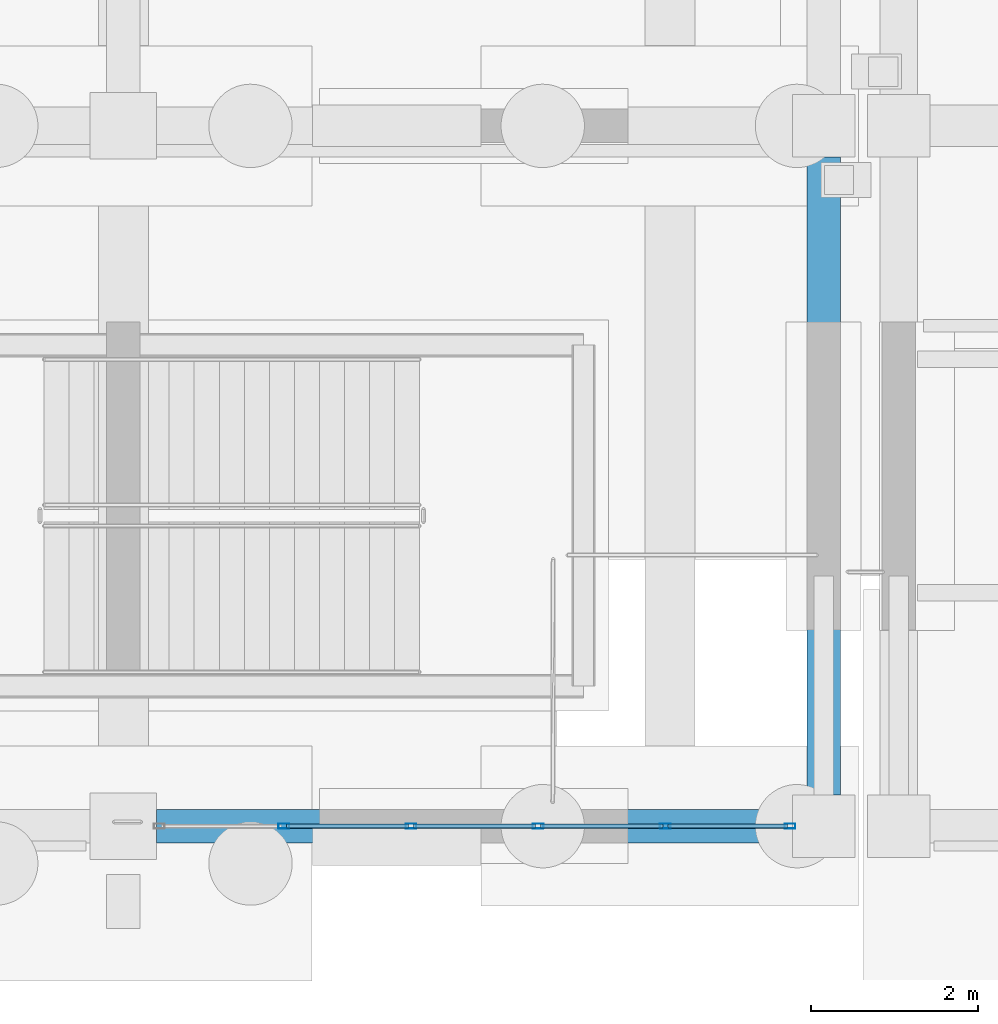
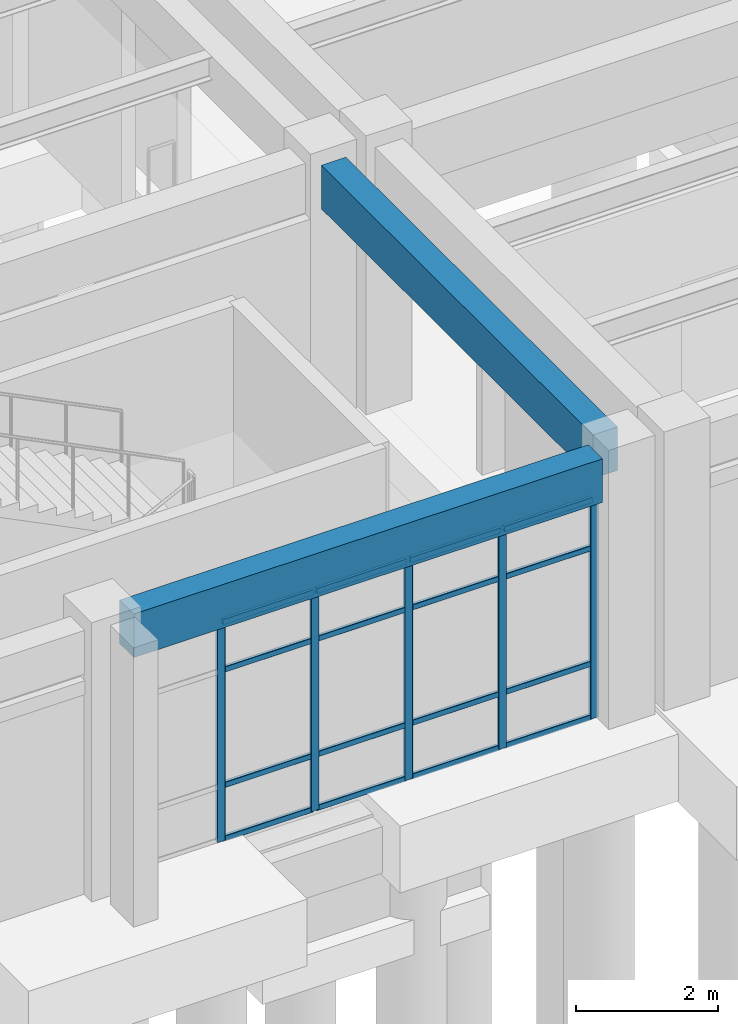
# One storey, part 32 of 111: 21 members, 2 beams, 1 element without a shape of its own.
"""IFC4 building model written with IfcOpenShell, lengths in metres."""

from ifc_helpers import new_model, si_unit, direction, frame, origin, origin_2d, place, context, subcontext, project, spatial, rectangle, hollow_rectangle, extrude, material, material_profile, profile_set, type_object, element, aggregate, save


model = new_model("IFC4")

# Units and contexts
model_context = context("Model", 3, precision=1e-05, world=origin(), true_north=direction((0.0, 1.0)))
body_context = subcontext(model_context, "Body", "Model", "MODEL_VIEW")
ifc_project = project(units=[si_unit("LENGTHUNIT", "METRE"), si_unit("AREAUNIT", "SQUARE_METRE"), si_unit("VOLUMEUNIT", "CUBIC_METRE"), si_unit("PLANEANGLEUNIT", "RADIAN"), si_unit("MASSUNIT", "GRAM", prefix="KILO")], contexts=[model_context])

# Site, building, storey
site_placement = place(None, origin())
site = spatial("IfcSite", under=ifc_project, at=site_placement, CompositionType="ELEMENT")
building_placement = place(site_placement, origin())
building = spatial("IfcBuilding", under=site, at=building_placement, Name="Canglan Escarpment Cableway Terminal", CompositionType="ELEMENT")
storey_placement = place(building_placement, frame((0.0, 0.0, 4.800048828125)))
storey = spatial("IfcBuildingStorey", under=building, at=storey_placement, Name="L01", CompositionType="ELEMENT", Elevation=4.800048828125)

# Beam
ifc_material_1 = material(Name="Concrete C40", Category="concrete")
ifc_material_profile_1 = material_profile(ifc_material_1, rectangle(XDim=0.39990234375, YDim=0.75, at=origin_2d()), Name="RC 400x750")
ifc_profile_set_1 = profile_set([ifc_material_profile_1], Name="Concrete C40")
beam_type_1 = type_object("IfcBeamType", Name="BM-RC400x750", PredefinedType="BEAM", material=ifc_profile_set_1)
beam_1_placement = place(storey_placement, frame((110.60009765625, 8.375, 4.175048828125), z_axis=(0.0, 1.0, 0.0), x_axis=(-1.0, 0.0, 0.0)))
element("IfcBeam", 1, at=beam_1_placement, inside=storey, type_object=beam_type_1, Name="Primary transverse girder B-03", PredefinedType="BEAM", context=body_context, shape_type="SweptSolid", body=[
    extrude(rectangle(XDim=0.39990234375, YDim=0.75, at=origin_2d()), origin(), (0.0, 0.0, 1.0), 7.64990234375),
])

# Curtain wall, members
ifc_material_2 = material(Name="Anodized bronze aluminium and Low-E double glazing", Category="aluminium")
curtain_wall_type = type_object("IfcCurtainWallType", Name="CW-BAY-7625x3775", PredefinedType="NOTDEFINED", material=ifc_material_2)
curtain_wall_placement = place(storey_placement, origin())
curtain_wall = element("IfcCurtainWall", 2, at=curtain_wall_placement, inside=storey, type_object=curtain_wall_type, Name="Classical bay-between-piers glazed curtain wall CW-10", PredefinedType="NOTDEFINED")
ifc_material_3 = material(Name="Thermally broken anodized aluminium 6063-T6", Category="aluminium")
ifc_material_profile_2 = material_profile(ifc_material_3, hollow_rectangle(XDim=0.06005859375, YDim=0.1298828125, WallThickness=0.0029296875, InnerFilletRadius=0.0029296875, OuterFilletRadius=0.006103515625, at=origin_2d()), Name="ALU-MULL 60x130x3")
ifc_profile_set_2 = profile_set([ifc_material_profile_2], Name="Thermally broken anodized aluminium 6063-T6")
member_type_1 = type_object("IfcMemberType", Name="CWM-01", PredefinedType="MULLION", material=ifc_profile_set_2)
member_1_placement = place(storey_placement, frame((104.125, 8.0, 0.0), z_axis=(0.0, 0.0, 1.0), x_axis=(0.0, 1.0, 0.0)))
member_1 = element("IfcMember", 3, at=member_1_placement, type_object=member_type_1, Name="CW-10 mullion 2", PredefinedType="MULLION", context=body_context, shape_type="SweptSolid", body=[
    extrude(hollow_rectangle(XDim=0.06005859375, YDim=0.1298828125, WallThickness=0.0029296875, InnerFilletRadius=0.0029296875, OuterFilletRadius=0.006103515625, at=origin_2d()), origin(), (0.0, 0.0, 1.0), 3.784912109375),
])
member_2_placement = place(storey_placement, frame((105.64990234375, 8.0, 0.0), z_axis=(0.0, 0.0, 1.0), x_axis=(0.0, 1.0, 0.0)))
member_2 = element("IfcMember", 4, at=member_2_placement, type_object=member_type_1, Name="CW-10 mullion 3", PredefinedType="MULLION", context=body_context, shape_type="SweptSolid", body=[
    extrude(hollow_rectangle(XDim=0.06005859375, YDim=0.1298828125, WallThickness=0.0029296875, InnerFilletRadius=0.0029296875, OuterFilletRadius=0.006103515625, at=origin_2d()), origin(), (0.0, 0.0, 1.0), 3.784912109375),
])
member_3_placement = place(storey_placement, frame((107.175048828125, 8.0, 0.0), z_axis=(0.0, 0.0, 1.0), x_axis=(0.0, 1.0, 0.0)))
member_3 = element("IfcMember", 5, at=member_3_placement, type_object=member_type_1, Name="CW-10 mullion 4", PredefinedType="MULLION", context=body_context, shape_type="SweptSolid", body=[
    extrude(hollow_rectangle(XDim=0.06005859375, YDim=0.1298828125, WallThickness=0.0029296875, InnerFilletRadius=0.0029296875, OuterFilletRadius=0.006103515625, at=origin_2d()), origin(), (0.0, 0.0, 1.0), 3.784912109375),
])
member_4_placement = place(storey_placement, frame((108.699951171875, 8.0, 0.0), z_axis=(0.0, 0.0, 1.0), x_axis=(0.0, 1.0, 0.0)))
member_4 = element("IfcMember", 6, at=member_4_placement, type_object=member_type_1, Name="CW-10 mullion 5", PredefinedType="MULLION", context=body_context, shape_type="SweptSolid", body=[
    extrude(hollow_rectangle(XDim=0.06005859375, YDim=0.1298828125, WallThickness=0.0029296875, InnerFilletRadius=0.0029296875, OuterFilletRadius=0.006103515625, at=origin_2d()), origin(), (0.0, 0.0, 1.0), 3.784912109375),
])
member_5_placement = place(storey_placement, frame((110.195068359375, 8.0, 0.0), z_axis=(0.0, 0.0, 1.0), x_axis=(0.0, 1.0, 0.0)))
member_5 = element("IfcMember", 7, at=member_5_placement, type_object=member_type_1, Name="CW-10 mullion 6", PredefinedType="MULLION", context=body_context, shape_type="SweptSolid", body=[
    extrude(hollow_rectangle(XDim=0.06005859375, YDim=0.1298828125, WallThickness=0.0029296875, InnerFilletRadius=0.0029296875, OuterFilletRadius=0.006103515625, at=origin_2d()), origin(), (0.0, 0.0, 1.0), 3.784912109375),
])
ifc_material_profile_3 = material_profile(ifc_material_3, hollow_rectangle(XDim=0.054931640625, YDim=0.094970703125, WallThickness=0.0029296875, InnerFilletRadius=0.0029296875, OuterFilletRadius=0.006103515625, at=origin_2d()), Name="ALU-TRAN 55x95x3")
ifc_profile_set_3 = profile_set([ifc_material_profile_3], Name="Thermally broken anodized aluminium 6063-T6")
member_type_2 = type_object("IfcMemberType", Name="CWT-01", PredefinedType="USERDEFINED", material=ifc_profile_set_3)
member_6_placement = place(storey_placement, frame((104.155029296875, 8.0, 0.02734375), z_axis=(1.0, 0.0, 0.0), x_axis=(0.0, 1.0, 0.0)))
member_6 = element("IfcMember", 8, at=member_6_placement, type_object=member_type_2, Name="CW-10 transom 2.1", ObjectType="TRANSOM", PredefinedType="USERDEFINED", context=body_context, shape_type="SweptSolid", body=[
    extrude(hollow_rectangle(XDim=0.054931640625, YDim=0.094970703125, WallThickness=0.0029296875, InnerFilletRadius=0.0029296875, OuterFilletRadius=0.006103515625, at=origin_2d()), origin(), (0.0, 0.0, 1.0), 1.465087890625),
])
member_7_placement = place(storey_placement, frame((104.155029296875, 8.0, 0.949951171875), z_axis=(1.0, 0.0, 0.0), x_axis=(0.0, 1.0, 0.0)))
member_7 = element("IfcMember", 9, at=member_7_placement, type_object=member_type_2, Name="CW-10 transom 2.2", ObjectType="TRANSOM", PredefinedType="USERDEFINED", context=body_context, shape_type="SweptSolid", body=[
    extrude(hollow_rectangle(XDim=0.054931640625, YDim=0.094970703125, WallThickness=0.0029296875, InnerFilletRadius=0.0029296875, OuterFilletRadius=0.006103515625, at=origin_2d()), origin(), (0.0, 0.0, 1.0), 1.465087890625),
])
member_8_placement = place(storey_placement, frame((104.155029296875, 8.0, 2.93505859375), z_axis=(1.0, 0.0, 0.0), x_axis=(0.0, 1.0, 0.0)))
member_8 = element("IfcMember", 10, at=member_8_placement, type_object=member_type_2, Name="CW-10 transom 2.3", ObjectType="TRANSOM", PredefinedType="USERDEFINED", context=body_context, shape_type="SweptSolid", body=[
    extrude(hollow_rectangle(XDim=0.054931640625, YDim=0.094970703125, WallThickness=0.0029296875, InnerFilletRadius=0.0029296875, OuterFilletRadius=0.006103515625, at=origin_2d()), origin(), (0.0, 0.0, 1.0), 1.465087890625),
])
member_9_placement = place(storey_placement, frame((104.155029296875, 8.0, 3.757568359375), z_axis=(1.0, 0.0, 0.0), x_axis=(0.0, 1.0, 0.0)))
member_9 = element("IfcMember", 11, at=member_9_placement, type_object=member_type_2, Name="CW-10 transom 2.4", ObjectType="TRANSOM", PredefinedType="USERDEFINED", context=body_context, shape_type="SweptSolid", body=[
    extrude(hollow_rectangle(XDim=0.054931640625, YDim=0.094970703125, WallThickness=0.0029296875, InnerFilletRadius=0.0029296875, OuterFilletRadius=0.006103515625, at=origin_2d()), origin(), (0.0, 0.0, 1.0), 1.465087890625),
])
member_10_placement = place(storey_placement, frame((105.679931640625, 8.0, 0.02734375), z_axis=(1.0, 0.0, 0.0), x_axis=(0.0, 1.0, 0.0)))
member_10 = element("IfcMember", 12, at=member_10_placement, type_object=member_type_2, Name="CW-10 transom 3.1", ObjectType="TRANSOM", PredefinedType="USERDEFINED", context=body_context, shape_type="SweptSolid", body=[
    extrude(hollow_rectangle(XDim=0.054931640625, YDim=0.094970703125, WallThickness=0.0029296875, InnerFilletRadius=0.0029296875, OuterFilletRadius=0.006103515625, at=origin_2d()), origin(), (0.0, 0.0, 1.0), 1.465087890625),
])
member_11_placement = place(storey_placement, frame((105.679931640625, 8.0, 0.949951171875), z_axis=(1.0, 0.0, 0.0), x_axis=(0.0, 1.0, 0.0)))
member_11 = element("IfcMember", 13, at=member_11_placement, type_object=member_type_2, Name="CW-10 transom 3.2", ObjectType="TRANSOM", PredefinedType="USERDEFINED", context=body_context, shape_type="SweptSolid", body=[
    extrude(hollow_rectangle(XDim=0.054931640625, YDim=0.094970703125, WallThickness=0.0029296875, InnerFilletRadius=0.0029296875, OuterFilletRadius=0.006103515625, at=origin_2d()), origin(), (0.0, 0.0, 1.0), 1.465087890625),
])
member_12_placement = place(storey_placement, frame((105.679931640625, 8.0, 2.93505859375), z_axis=(1.0, 0.0, 0.0), x_axis=(0.0, 1.0, 0.0)))
member_12 = element("IfcMember", 14, at=member_12_placement, type_object=member_type_2, Name="CW-10 transom 3.3", ObjectType="TRANSOM", PredefinedType="USERDEFINED", context=body_context, shape_type="SweptSolid", body=[
    extrude(hollow_rectangle(XDim=0.054931640625, YDim=0.094970703125, WallThickness=0.0029296875, InnerFilletRadius=0.0029296875, OuterFilletRadius=0.006103515625, at=origin_2d()), origin(), (0.0, 0.0, 1.0), 1.465087890625),
])
member_13_placement = place(storey_placement, frame((105.679931640625, 8.0, 3.757568359375), z_axis=(1.0, 0.0, 0.0), x_axis=(0.0, 1.0, 0.0)))
member_13 = element("IfcMember", 15, at=member_13_placement, type_object=member_type_2, Name="CW-10 transom 3.4", ObjectType="TRANSOM", PredefinedType="USERDEFINED", context=body_context, shape_type="SweptSolid", body=[
    extrude(hollow_rectangle(XDim=0.054931640625, YDim=0.094970703125, WallThickness=0.0029296875, InnerFilletRadius=0.0029296875, OuterFilletRadius=0.006103515625, at=origin_2d()), origin(), (0.0, 0.0, 1.0), 1.465087890625),
])
member_14_placement = place(storey_placement, frame((107.205078125, 8.0, 0.02734375), z_axis=(1.0, 0.0, 0.0), x_axis=(0.0, 1.0, 0.0)))
member_14 = element("IfcMember", 16, at=member_14_placement, type_object=member_type_2, Name="CW-10 transom 4.1", ObjectType="TRANSOM", PredefinedType="USERDEFINED", context=body_context, shape_type="SweptSolid", body=[
    extrude(hollow_rectangle(XDim=0.054931640625, YDim=0.094970703125, WallThickness=0.0029296875, InnerFilletRadius=0.0029296875, OuterFilletRadius=0.006103515625, at=origin_2d()), origin(), (0.0, 0.0, 1.0), 1.46484375),
])
member_15_placement = place(storey_placement, frame((107.205078125, 8.0, 0.949951171875), z_axis=(1.0, 0.0, 0.0), x_axis=(0.0, 1.0, 0.0)))
member_15 = element("IfcMember", 17, at=member_15_placement, type_object=member_type_2, Name="CW-10 transom 4.2", ObjectType="TRANSOM", PredefinedType="USERDEFINED", context=body_context, shape_type="SweptSolid", body=[
    extrude(hollow_rectangle(XDim=0.054931640625, YDim=0.094970703125, WallThickness=0.0029296875, InnerFilletRadius=0.0029296875, OuterFilletRadius=0.006103515625, at=origin_2d()), origin(), (0.0, 0.0, 1.0), 1.46484375),
])
member_16_placement = place(storey_placement, frame((107.205078125, 8.0, 2.93505859375), z_axis=(1.0, 0.0, 0.0), x_axis=(0.0, 1.0, 0.0)))
member_16 = element("IfcMember", 18, at=member_16_placement, type_object=member_type_2, Name="CW-10 transom 4.3", ObjectType="TRANSOM", PredefinedType="USERDEFINED", context=body_context, shape_type="SweptSolid", body=[
    extrude(hollow_rectangle(XDim=0.054931640625, YDim=0.094970703125, WallThickness=0.0029296875, InnerFilletRadius=0.0029296875, OuterFilletRadius=0.006103515625, at=origin_2d()), origin(), (0.0, 0.0, 1.0), 1.46484375),
])
member_17_placement = place(storey_placement, frame((107.205078125, 8.0, 3.757568359375), z_axis=(1.0, 0.0, 0.0), x_axis=(0.0, 1.0, 0.0)))
member_17 = element("IfcMember", 19, at=member_17_placement, type_object=member_type_2, Name="CW-10 transom 4.4", ObjectType="TRANSOM", PredefinedType="USERDEFINED", context=body_context, shape_type="SweptSolid", body=[
    extrude(hollow_rectangle(XDim=0.054931640625, YDim=0.094970703125, WallThickness=0.0029296875, InnerFilletRadius=0.0029296875, OuterFilletRadius=0.006103515625, at=origin_2d()), origin(), (0.0, 0.0, 1.0), 1.46484375),
])
member_18_placement = place(storey_placement, frame((108.72998046875, 8.0, 0.02734375), z_axis=(1.0, 0.0, 0.0), x_axis=(0.0, 1.0, 0.0)))
member_18 = element("IfcMember", 20, at=member_18_placement, type_object=member_type_2, Name="CW-10 transom 5.1", ObjectType="TRANSOM", PredefinedType="USERDEFINED", context=body_context, shape_type="SweptSolid", body=[
    extrude(hollow_rectangle(XDim=0.054931640625, YDim=0.094970703125, WallThickness=0.0029296875, InnerFilletRadius=0.0029296875, OuterFilletRadius=0.006103515625, at=origin_2d()), origin(), (0.0, 0.0, 1.0), 1.43505859375),
])
member_19_placement = place(storey_placement, frame((108.72998046875, 8.0, 0.949951171875), z_axis=(1.0, 0.0, 0.0), x_axis=(0.0, 1.0, 0.0)))
member_19 = element("IfcMember", 21, at=member_19_placement, type_object=member_type_2, Name="CW-10 transom 5.2", ObjectType="TRANSOM", PredefinedType="USERDEFINED", context=body_context, shape_type="SweptSolid", body=[
    extrude(hollow_rectangle(XDim=0.054931640625, YDim=0.094970703125, WallThickness=0.0029296875, InnerFilletRadius=0.0029296875, OuterFilletRadius=0.006103515625, at=origin_2d()), origin(), (0.0, 0.0, 1.0), 1.43505859375),
])
member_20_placement = place(storey_placement, frame((108.72998046875, 8.0, 2.93505859375), z_axis=(1.0, 0.0, 0.0), x_axis=(0.0, 1.0, 0.0)))
member_20 = element("IfcMember", 22, at=member_20_placement, type_object=member_type_2, Name="CW-10 transom 5.3", ObjectType="TRANSOM", PredefinedType="USERDEFINED", context=body_context, shape_type="SweptSolid", body=[
    extrude(hollow_rectangle(XDim=0.054931640625, YDim=0.094970703125, WallThickness=0.0029296875, InnerFilletRadius=0.0029296875, OuterFilletRadius=0.006103515625, at=origin_2d()), origin(), (0.0, 0.0, 1.0), 1.43505859375),
])
member_21_placement = place(storey_placement, frame((108.72998046875, 8.0, 3.757568359375), z_axis=(1.0, 0.0, 0.0), x_axis=(0.0, 1.0, 0.0)))
member_21 = element("IfcMember", 23, at=member_21_placement, type_object=member_type_2, Name="CW-10 transom 5.4", ObjectType="TRANSOM", PredefinedType="USERDEFINED", context=body_context, shape_type="SweptSolid", body=[
    extrude(hollow_rectangle(XDim=0.054931640625, YDim=0.094970703125, WallThickness=0.0029296875, InnerFilletRadius=0.0029296875, OuterFilletRadius=0.006103515625, at=origin_2d()), origin(), (0.0, 0.0, 1.0), 1.43505859375),
])
aggregate(curtain_wall, [member_1, member_2, member_3, member_4, member_5, member_6, member_7, member_8, member_9, member_10, member_11, member_12, member_13, member_14, member_15, member_16, member_17, member_18, member_19, member_20, member_21])

# Beam
ifc_material_profile_4 = material_profile(ifc_material_1, rectangle(XDim=0.39990234375, YDim=0.75, at=origin_2d()), Name="RC 400x750")
ifc_profile_set_4 = profile_set([ifc_material_profile_4], Name="Concrete C40")
beam_type_2 = type_object("IfcBeamType", Name="SP-RC400x750", PredefinedType="SPANDREL", material=ifc_profile_set_4)
beam_2_placement = place(storey_placement, frame((102.60009765625, 8.0, 4.175048828125), z_axis=(1.0, 0.0, 0.0), x_axis=(0.0, 1.0, 0.0)))
element("IfcBeam", 24, at=beam_2_placement, inside=storey, type_object=beam_type_2, Name="Primary structural girder SP-01", PredefinedType="SPANDREL", context=body_context, shape_type="SweptSolid", body=[
    extrude(rectangle(XDim=0.39990234375, YDim=0.75, at=origin_2d()), origin(), (0.0, 0.0, 1.0), 7.625),
])

save(model, "model.ifc")
